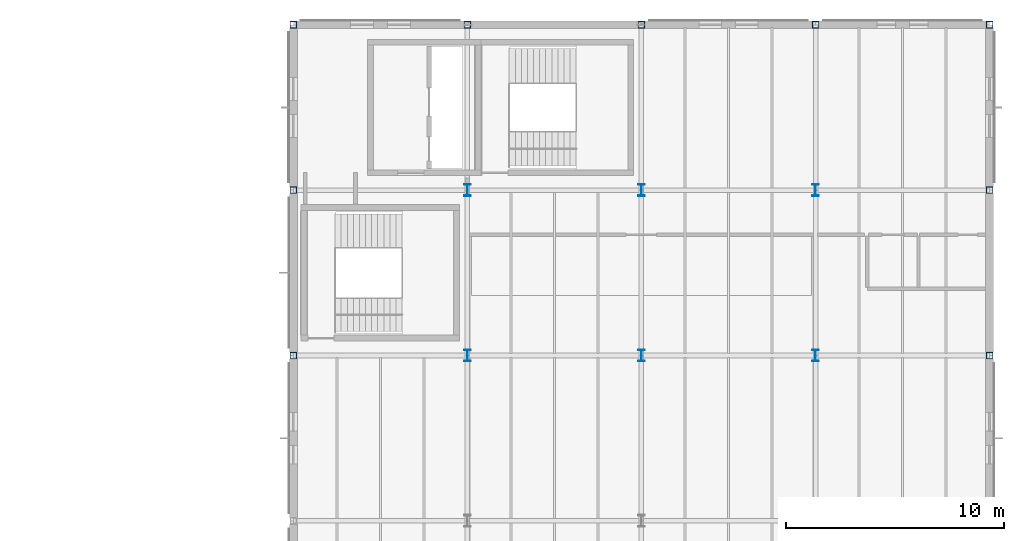
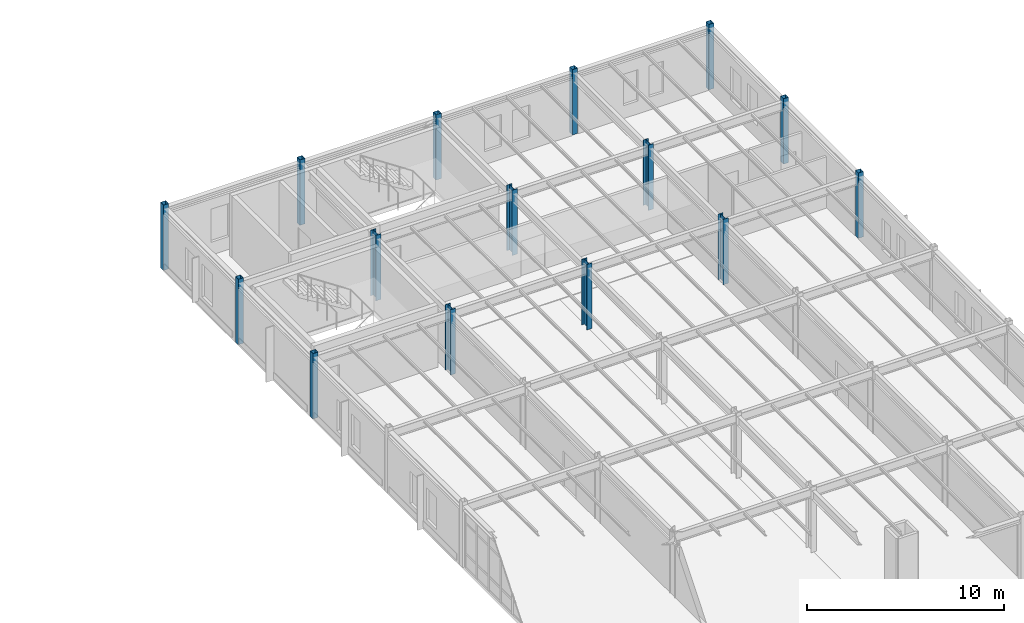
# One storey, part 22 of 165: 15 columns.
"""IFC4 building model written with IfcOpenShell, lengths in metres."""

from ifc_helpers import new_model, si_unit, direction, frame, origin, origin_2d, place, context, subcontext, project, spatial, hollow_rectangle, i_section, extrude, material, material_profile, profile_set, type_object, element, save


model = new_model("IFC4")

# Units and contexts
model_context = context("Model", 3, precision=1e-05, world=origin(), true_north=direction((0.0, 1.0)))
body_context = subcontext(model_context, "Body", "Model", "MODEL_VIEW")
ifc_project = project(units=[si_unit("LENGTHUNIT", "METRE"), si_unit("AREAUNIT", "SQUARE_METRE"), si_unit("VOLUMEUNIT", "CUBIC_METRE"), si_unit("PLANEANGLEUNIT", "RADIAN"), si_unit("MASSUNIT", "GRAM", prefix="KILO")], contexts=[model_context])

# Site, building, storey
site_placement = place(None, origin())
site = spatial("IfcSite", under=ifc_project, at=site_placement, CompositionType="ELEMENT")
building_placement = place(site_placement, origin())
building = spatial("IfcBuilding", under=site, at=building_placement, Name="Montecoro Central Library", CompositionType="ELEMENT")
storey_placement = place(building_placement, frame((0.0, 0.0, 5.10009765625)))
storey = spatial("IfcBuildingStorey", under=building, at=storey_placement, Name="L01", CompositionType="ELEMENT", Elevation=5.10009765625)

# Columns
ifc_material_1 = material(Name="Steel S355J2", Category="steel")
ifc_material_profile_1 = material_profile(ifc_material_1, i_section(OverallWidth=0.300048828125, OverallDepth=0.550048828125, WebThickness=0.014892578125, FlangeThickness=0.029052734375, at=origin_2d()), Name="HEB 550")
ifc_profile_set_1 = profile_set([ifc_material_profile_1], Name="Steel S355J2")
column_type_1 = type_object("IfcColumnType", Name="COL-HEB550", PredefinedType="COLUMN", material=ifc_profile_set_1)
for number, where, z_axis, x_axis, name in (
    (1, (149.0, 103.800048828125, 0.0), (0.0, 0.0, 1.0), (1.0, 0.0, 0.0), "V5-L01-COL-19-P"),
    (2, (149.0, 111.39990234375, 0.0), (0.0, 0.0, 1.0), (1.0, 0.0, 0.0), "V5-L01-COL-19-Q"),
    (3, (157.0, 103.800048828125, 0.0), (0.0, 0.0, 1.0), (1.0, 0.0, 0.0), "V5-L01-COL-20-P"),
    (4, (157.0, 111.39990234375, 0.0), (0.0, 0.0, 1.0), (1.0, 0.0, 0.0), "V5-L01-COL-20-Q"),
    (5, (165.0, 103.800048828125, 0.0), (0.0, 0.0, 1.0), (1.0, 0.0, 0.0), "V5-L01-COL-21-P"),
    (6, (165.0, 111.39990234375, 0.0), (0.0, 0.0, 1.0), (1.0, 0.0, 0.0), "V5-L01-COL-21-Q"),
):
    element("IfcColumn", number, at=place(storey_placement, frame(where, z_axis=z_axis, x_axis=x_axis)), inside=storey, type_object=column_type_1, Name=name, PredefinedType="COLUMN", context=body_context, shape_type="SweptSolid", body=[
        extrude(i_section(OverallWidth=0.300048828125, OverallDepth=0.550048828125, WebThickness=0.014892578125, FlangeThickness=0.029052734375, at=origin_2d()), origin(), (0.0, 0.0, 1.0), 4.054931640625),
    ])
ifc_material_2 = material(Name="Steel S355", Category="steel")
ifc_material_profile_2 = material_profile(ifc_material_2, hollow_rectangle(XDim=0.300048828125, YDim=0.300048828125, WallThickness=0.012451171875, at=origin_2d()), Name="SHS 300x300x12.5")
ifc_profile_set_2 = profile_set([ifc_material_profile_2], Name="Steel S355")
column_type_2 = type_object("IfcColumnType", Name="COL-SHS300", PredefinedType="COLUMN", material=ifc_profile_set_2)
for number, where, z_axis, x_axis, name in (
    (7, (141.0, 103.800048828125, 0.0), (0.0, 0.0, 1.0), (1.0, 0.0, 0.0), "V5-L01-COL-18-P"),
    (8, (141.0, 111.39990234375, 0.0), (0.0, 0.0, 1.0), (1.0, 0.0, 0.0), "V5-L01-COL-18-Q"),
    (9, (141.0, 119.0, 0.0), (0.0, 0.0, 1.0), (1.0, 0.0, 0.0), "V5-L01-COL-18-R"),
    (10, (149.0, 119.0, 0.0), (0.0, 0.0, 1.0), (1.0, 0.0, 0.0), "V5-L01-COL-19-R"),
    (11, (157.0, 119.0, 0.0), (0.0, 0.0, 1.0), (1.0, 0.0, 0.0), "V5-L01-COL-20-R"),
    (12, (165.0, 119.0, 0.0), (0.0, 0.0, 1.0), (1.0, 0.0, 0.0), "V5-L01-COL-21-R"),
    (13, (173.0, 103.800048828125, 0.0), (0.0, 0.0, 1.0), (1.0, 0.0, 0.0), "V5-L01-COL-22-P"),
    (14, (173.0, 111.39990234375, 0.0), (0.0, 0.0, 1.0), (1.0, 0.0, 0.0), "V5-L01-COL-22-Q"),
    (15, (173.0, 119.0, 0.0), (0.0, 0.0, 1.0), (1.0, 0.0, 0.0), "V5-L01-COL-22-R"),
):
    element("IfcColumn", number, at=place(storey_placement, frame(where, z_axis=z_axis, x_axis=x_axis)), inside=storey, type_object=column_type_2, Name=name, PredefinedType="COLUMN", context=body_context, shape_type="SweptSolid", body=[
        extrude(hollow_rectangle(XDim=0.300048828125, YDim=0.300048828125, WallThickness=0.012451171875, at=origin_2d()), origin(), (0.0, 0.0, 1.0), 4.054931640625),
    ])

save(model, "model.ifc")
